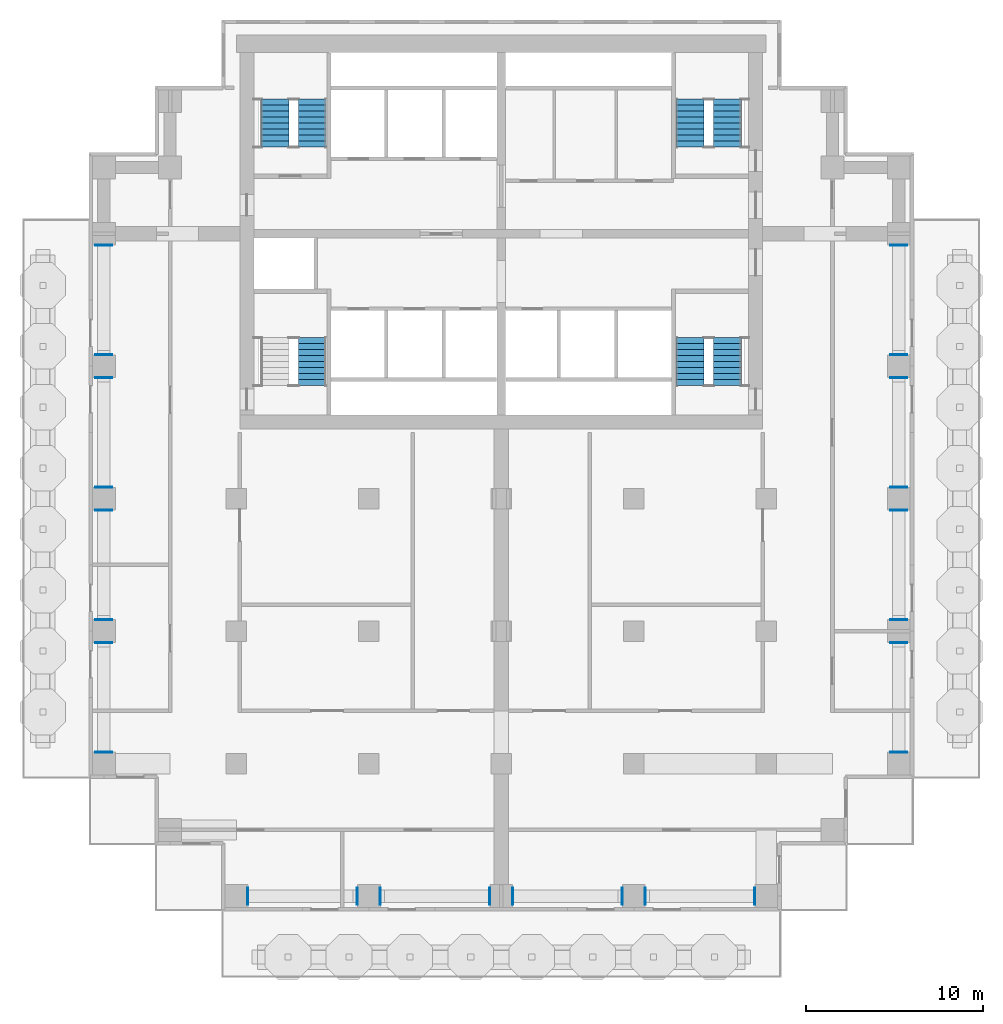
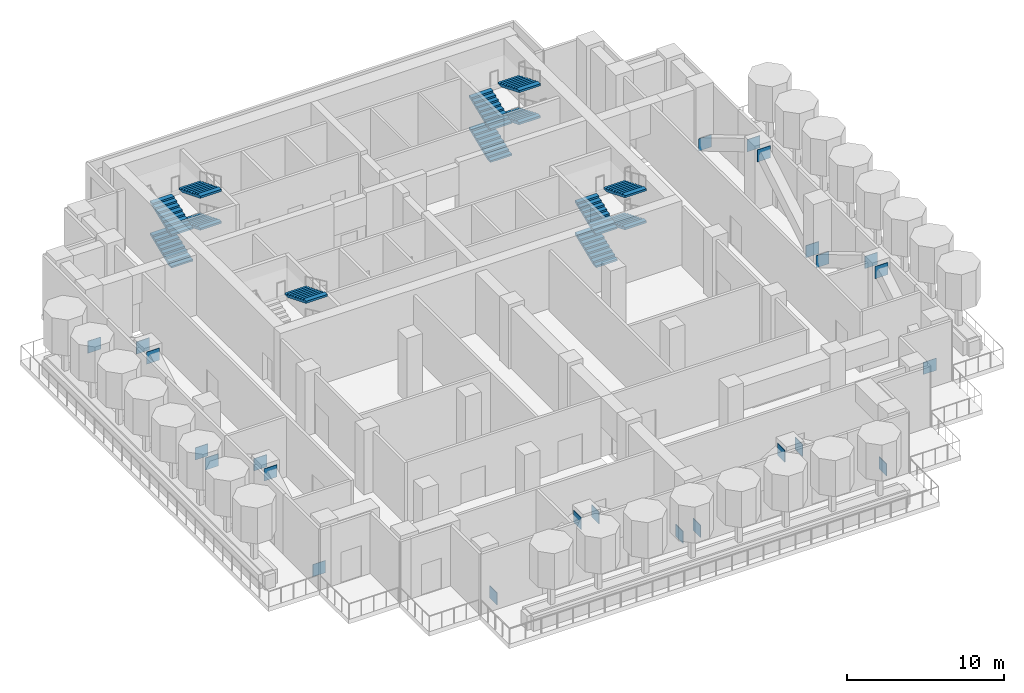
# One storey, part 6 of 9: 24 discrete accessories, 13 stair flights, 4 elements without a shape of their own.
"""IFC4 building model written with IfcOpenShell, lengths in metres."""

from ifc_helpers import new_model, si_unit, direction, frame, origin, origin_2d, place, context, subcontext, project, spatial, polyline, rectangle, outline, extrude, material, layer, layer_set, type_object, element, aggregate, save


model = new_model("IFC4")

# Units and contexts
model_context = context("Model", 3, precision=1e-05, world=origin(), true_north=direction((0.0, 1.0)))
body_context = subcontext(model_context, "Body", "Model", "MODEL_VIEW")
ifc_project = project(units=[si_unit("LENGTHUNIT", "METRE"), si_unit("AREAUNIT", "SQUARE_METRE"), si_unit("VOLUMEUNIT", "CUBIC_METRE"), si_unit("PLANEANGLEUNIT", "RADIAN"), si_unit("MASSUNIT", "GRAM", prefix="KILO")], contexts=[model_context])

# Site, building, storey
site_placement = place(None, origin())
site = spatial("IfcSite", under=ifc_project, at=site_placement, CompositionType="ELEMENT")
building_placement = place(site_placement, origin())
building = spatial("IfcBuilding", under=site, at=building_placement, Name="Pilkhan Gate Tower", CompositionType="ELEMENT")
storey_placement = place(building_placement, frame((0.0, 0.0, 102.199951171875)))
storey = spatial("IfcBuildingStorey", under=building, at=storey_placement, Name="L25", CompositionType="ELEMENT", Elevation=102.199951171875)

# Stair, stair flights
ifc_material_1 = material(Name="Concrete C40/50 precast", Category="concrete")
stair_type_1 = type_object("IfcStairType", Name="Stair ST1 139x340", PredefinedType="HALF_TURN_STAIR", material=ifc_material_1)
stair_1_placement = place(storey_placement, origin())
stair_1 = element("IfcStair", 1, at=stair_1_placement, inside=storey, type_object=stair_type_1, Name="Stair ST1 L25", PredefinedType="HALF_TURN_STAIR")
stair_flight_type_1 = type_object("IfcStairFlightType", Name="Stair flight ST1 139x340x9", PredefinedType="STRAIGHT", material=ifc_material_1)
stair_flight_1_placement = place(storey_placement, frame((85.68994140625, 73.89990234375, 0.0), z_axis=(0.0, 0.0, 1.0), x_axis=(0.0, 1.0, 0.0)))
stair_flight_1 = element("IfcStairFlight", 2, at=stair_flight_1_placement, type_object=stair_flight_type_1, Name="ST1 flight 1", NumberOfRisers=9, NumberOfTreads=8, PredefinedType="STRAIGHT", RiserHeight=0.138888889, TreadLength=0.34, context=body_context, shape_type="SweptSolid", body=[
    extrude(outline(polyline([(0.0, 0.0), (0.0, 0.138916015625), (0.340087890625, 0.138916015625), (0.340087890625, 0.27783203125), (0.679931640625, 0.27783203125), (0.679931640625, 0.416748046875), (1.02001953125, 0.416748046875), (1.02001953125, 0.5556640625), (1.360107421875, 0.5556640625), (1.360107421875, 0.6943359375), (1.699951171875, 0.6943359375), (1.699951171875, 0.833251953125), (2.0400390625, 0.833251953125), (2.0400390625, 0.97216796875), (2.3798828125, 0.97216796875), (2.3798828125, 1.111083984375), (2.719970703125, 1.111083984375), (2.719970703125, 1.25), (2.719970703125, 0.94921875), (0.396484375, 0.0), (0.0, 0.0)])), frame((0.0, 0.7900390625, 0.0), z_axis=(0.0, -1.0, 0.0), x_axis=(1.0, 0.0, 0.0)), (0.0, 0.0, 1.0), 1.580078125),
])
stair_flight_2_placement = place(storey_placement, frame((87.81005859375, 76.6201171875, 1.25), z_axis=(0.0, 0.0, 1.0), x_axis=(0.0, -1.0, 0.0)))
stair_flight_2 = element("IfcStairFlight", 3, at=stair_flight_2_placement, type_object=stair_flight_type_1, Name="ST1 flight 2", NumberOfRisers=9, NumberOfTreads=8, PredefinedType="STRAIGHT", RiserHeight=0.138888889, TreadLength=0.34, context=body_context, shape_type="SweptSolid", body=[
    extrude(outline(polyline([(0.0, 0.0), (0.0, 0.138916015625), (0.340087890625, 0.138916015625), (0.340087890625, 0.27783203125), (0.679931640625, 0.27783203125), (0.679931640625, 0.416748046875), (1.02001953125, 0.416748046875), (1.02001953125, 0.5556640625), (1.360107421875, 0.5556640625), (1.360107421875, 0.6943359375), (1.699951171875, 0.6943359375), (1.699951171875, 0.833251953125), (2.0400390625, 0.833251953125), (2.0400390625, 0.97216796875), (2.3798828125, 0.97216796875), (2.3798828125, 1.111083984375), (2.719970703125, 1.111083984375), (2.719970703125, 1.25), (2.719970703125, 0.94921875), (0.396484375, 0.0), (0.0, 0.0)])), frame((0.0, 0.7900390625, 0.0), z_axis=(0.0, -1.0, 0.0), x_axis=(1.0, 0.0, 0.0)), (0.0, 0.0, 1.0), 1.580078125),
])
stair_flight_3_placement = place(storey_placement, frame((85.68994140625, 73.89990234375, 2.5), z_axis=(0.0, 0.0, 1.0), x_axis=(0.0, 1.0, 0.0)))
stair_flight_3 = element("IfcStairFlight", 4, at=stair_flight_3_placement, type_object=stair_flight_type_1, Name="ST1 flight 3", NumberOfRisers=9, NumberOfTreads=8, PredefinedType="STRAIGHT", RiserHeight=0.138888889, TreadLength=0.34, context=body_context, shape_type="SweptSolid", body=[
    extrude(outline(polyline([(0.0, 0.0), (0.0, 0.138916015625), (0.340087890625, 0.138916015625), (0.340087890625, 0.27783203125), (0.679931640625, 0.27783203125), (0.679931640625, 0.416748046875), (1.02001953125, 0.416748046875), (1.02001953125, 0.5556640625), (1.360107421875, 0.5556640625), (1.360107421875, 0.6943359375), (1.699951171875, 0.6943359375), (1.699951171875, 0.833251953125), (2.0400390625, 0.833251953125), (2.0400390625, 0.97216796875), (2.3798828125, 0.97216796875), (2.3798828125, 1.111083984375), (2.719970703125, 1.111083984375), (2.719970703125, 1.25), (2.719970703125, 0.94921875), (0.396484375, 0.0), (0.0, 0.0)])), frame((0.0, 0.7900390625, 0.0), z_axis=(0.0, -1.0, 0.0), x_axis=(1.0, 0.0, 0.0)), (0.0, 0.0, 1.0), 1.580078125),
])
stair_flight_4_placement = place(storey_placement, frame((87.81005859375, 76.6201171875, 3.75), z_axis=(0.0, 0.0, 1.0), x_axis=(0.0, -1.0, 0.0)))
stair_flight_4 = element("IfcStairFlight", 5, at=stair_flight_4_placement, type_object=stair_flight_type_1, Name="ST1 flight 4", NumberOfRisers=9, NumberOfTreads=8, PredefinedType="STRAIGHT", RiserHeight=0.138888889, TreadLength=0.34, context=body_context, shape_type="SweptSolid", body=[
    extrude(outline(polyline([(0.0, 0.0), (0.0, 0.138916015625), (0.340087890625, 0.138916015625), (0.340087890625, 0.27783203125), (0.679931640625, 0.27783203125), (0.679931640625, 0.416748046875), (1.02001953125, 0.416748046875), (1.02001953125, 0.5556640625), (1.360107421875, 0.5556640625), (1.360107421875, 0.6943359375), (1.699951171875, 0.6943359375), (1.699951171875, 0.833251953125), (2.0400390625, 0.833251953125), (2.0400390625, 0.97216796875), (2.3798828125, 0.97216796875), (2.3798828125, 1.111083984375), (2.719970703125, 1.111083984375), (2.719970703125, 1.25), (2.719970703125, 0.94921875), (0.396484375, 0.0), (0.0, 0.0)])), frame((0.0, 0.7900390625, 0.0), z_axis=(0.0, -1.0, 0.0), x_axis=(1.0, 0.0, 0.0)), (0.0, 0.0, 1.0), 1.580078125),
])
aggregate(stair_1, [stair_flight_1, stair_flight_2, stair_flight_3, stair_flight_4])

# Stair, stair flight
stair_type_2 = type_object("IfcStairType", Name="Stair ST2 139x340", PredefinedType="HALF_TURN_STAIR", material=ifc_material_1)
stair_2_placement = place(storey_placement, origin())
stair_2 = element("IfcStair", 6, at=stair_2_placement, inside=storey, type_object=stair_type_2, Name="Stair ST2 L25", PredefinedType="HALF_TURN_STAIR")
stair_flight_type_2 = type_object("IfcStairFlightType", Name="Stair flight ST2 139x340x9", PredefinedType="STRAIGHT", material=ifc_material_1)
stair_flight_5_placement = place(storey_placement, frame((64.31005859375, 76.6201171875, 3.75), z_axis=(0.0, 0.0, 1.0), x_axis=(0.0, -1.0, 0.0)))
stair_flight_5 = element("IfcStairFlight", 7, at=stair_flight_5_placement, type_object=stair_flight_type_2, Name="ST2 flight 4", NumberOfRisers=9, NumberOfTreads=8, PredefinedType="STRAIGHT", RiserHeight=0.138888889, TreadLength=0.34, context=body_context, shape_type="SweptSolid", body=[
    extrude(outline(polyline([(0.0, 0.0), (0.0, 0.138916015625), (0.340087890625, 0.138916015625), (0.340087890625, 0.27783203125), (0.679931640625, 0.27783203125), (0.679931640625, 0.416748046875), (1.02001953125, 0.416748046875), (1.02001953125, 0.5556640625), (1.360107421875, 0.5556640625), (1.360107421875, 0.6943359375), (1.699951171875, 0.6943359375), (1.699951171875, 0.833251953125), (2.0400390625, 0.833251953125), (2.0400390625, 0.97216796875), (2.3798828125, 0.97216796875), (2.3798828125, 1.111083984375), (2.719970703125, 1.111083984375), (2.719970703125, 1.25), (2.719970703125, 0.94921875), (0.396484375, 0.0), (0.0, 0.0)])), frame((0.0, 0.7900390625, 0.0), z_axis=(0.0, -1.0, 0.0), x_axis=(1.0, 0.0, 0.0)), (0.0, 0.0, 1.0), 1.580078125),
])
aggregate(stair_2, [stair_flight_5])

# Stair, stair flights
stair_type_3 = type_object("IfcStairType", Name="Stair ST3 139x340", PredefinedType="HALF_TURN_STAIR", material=ifc_material_1)
stair_3_placement = place(storey_placement, origin())
stair_3 = element("IfcStair", 8, at=stair_3_placement, inside=storey, type_object=stair_type_3, Name="Stair ST3 L25", PredefinedType="HALF_TURN_STAIR")
stair_flight_type_3 = type_object("IfcStairFlightType", Name="Stair flight ST3 139x340x9", PredefinedType="STRAIGHT", material=ifc_material_1)
stair_flight_6_placement = place(storey_placement, frame((62.18994140625, 87.39990234375, 0.0), z_axis=(0.0, 0.0, 1.0), x_axis=(0.0, 1.0, 0.0)))
stair_flight_6 = element("IfcStairFlight", 9, at=stair_flight_6_placement, type_object=stair_flight_type_3, Name="ST3 flight 1", NumberOfRisers=9, NumberOfTreads=8, PredefinedType="STRAIGHT", RiserHeight=0.138888889, TreadLength=0.34, context=body_context, shape_type="SweptSolid", body=[
    extrude(outline(polyline([(0.0, 0.0), (0.0, 0.138916015625), (0.340087890625, 0.138916015625), (0.340087890625, 0.27783203125), (0.679931640625, 0.27783203125), (0.679931640625, 0.416748046875), (1.02001953125, 0.416748046875), (1.02001953125, 0.5556640625), (1.360107421875, 0.5556640625), (1.360107421875, 0.6943359375), (1.699951171875, 0.6943359375), (1.699951171875, 0.833251953125), (2.0400390625, 0.833251953125), (2.0400390625, 0.97216796875), (2.3798828125, 0.97216796875), (2.3798828125, 1.111083984375), (2.719970703125, 1.111083984375), (2.719970703125, 1.25), (2.719970703125, 0.94921875), (0.396484375, 0.0), (0.0, 0.0)])), frame((0.0, 0.7900390625, 0.0), z_axis=(0.0, -1.0, 0.0), x_axis=(1.0, 0.0, 0.0)), (0.0, 0.0, 1.0), 1.580078125),
])
stair_flight_7_placement = place(storey_placement, frame((64.31005859375, 90.1201171875, 1.25), z_axis=(0.0, 0.0, 1.0), x_axis=(0.0, -1.0, 0.0)))
stair_flight_7 = element("IfcStairFlight", 10, at=stair_flight_7_placement, type_object=stair_flight_type_3, Name="ST3 flight 2", NumberOfRisers=9, NumberOfTreads=8, PredefinedType="STRAIGHT", RiserHeight=0.138888889, TreadLength=0.34, context=body_context, shape_type="SweptSolid", body=[
    extrude(outline(polyline([(0.0, 0.0), (0.0, 0.138916015625), (0.340087890625, 0.138916015625), (0.340087890625, 0.27783203125), (0.679931640625, 0.27783203125), (0.679931640625, 0.416748046875), (1.02001953125, 0.416748046875), (1.02001953125, 0.5556640625), (1.360107421875, 0.5556640625), (1.360107421875, 0.6943359375), (1.699951171875, 0.6943359375), (1.699951171875, 0.833251953125), (2.0400390625, 0.833251953125), (2.0400390625, 0.97216796875), (2.3798828125, 0.97216796875), (2.3798828125, 1.111083984375), (2.719970703125, 1.111083984375), (2.719970703125, 1.25), (2.719970703125, 0.94921875), (0.396484375, 0.0), (0.0, 0.0)])), frame((0.0, 0.7900390625, 0.0), z_axis=(0.0, -1.0, 0.0), x_axis=(1.0, 0.0, 0.0)), (0.0, 0.0, 1.0), 1.580078125),
])
stair_flight_8_placement = place(storey_placement, frame((62.18994140625, 87.39990234375, 2.5), z_axis=(0.0, 0.0, 1.0), x_axis=(0.0, 1.0, 0.0)))
stair_flight_8 = element("IfcStairFlight", 11, at=stair_flight_8_placement, type_object=stair_flight_type_3, Name="ST3 flight 3", NumberOfRisers=9, NumberOfTreads=8, PredefinedType="STRAIGHT", RiserHeight=0.138888889, TreadLength=0.34, context=body_context, shape_type="SweptSolid", body=[
    extrude(outline(polyline([(0.0, 0.0), (0.0, 0.138916015625), (0.340087890625, 0.138916015625), (0.340087890625, 0.27783203125), (0.679931640625, 0.27783203125), (0.679931640625, 0.416748046875), (1.02001953125, 0.416748046875), (1.02001953125, 0.5556640625), (1.360107421875, 0.5556640625), (1.360107421875, 0.6943359375), (1.699951171875, 0.6943359375), (1.699951171875, 0.833251953125), (2.0400390625, 0.833251953125), (2.0400390625, 0.97216796875), (2.3798828125, 0.97216796875), (2.3798828125, 1.111083984375), (2.719970703125, 1.111083984375), (2.719970703125, 1.25), (2.719970703125, 0.94921875), (0.396484375, 0.0), (0.0, 0.0)])), frame((0.0, 0.7900390625, 0.0), z_axis=(0.0, -1.0, 0.0), x_axis=(1.0, 0.0, 0.0)), (0.0, 0.0, 1.0), 1.580078125),
])
stair_flight_9_placement = place(storey_placement, frame((64.31005859375, 90.1201171875, 3.75), z_axis=(0.0, 0.0, 1.0), x_axis=(0.0, -1.0, 0.0)))
stair_flight_9 = element("IfcStairFlight", 12, at=stair_flight_9_placement, type_object=stair_flight_type_3, Name="ST3 flight 4", NumberOfRisers=9, NumberOfTreads=8, PredefinedType="STRAIGHT", RiserHeight=0.138888889, TreadLength=0.34, context=body_context, shape_type="SweptSolid", body=[
    extrude(outline(polyline([(0.0, 0.0), (0.0, 0.138916015625), (0.340087890625, 0.138916015625), (0.340087890625, 0.27783203125), (0.679931640625, 0.27783203125), (0.679931640625, 0.416748046875), (1.02001953125, 0.416748046875), (1.02001953125, 0.5556640625), (1.360107421875, 0.5556640625), (1.360107421875, 0.6943359375), (1.699951171875, 0.6943359375), (1.699951171875, 0.833251953125), (2.0400390625, 0.833251953125), (2.0400390625, 0.97216796875), (2.3798828125, 0.97216796875), (2.3798828125, 1.111083984375), (2.719970703125, 1.111083984375), (2.719970703125, 1.25), (2.719970703125, 0.94921875), (0.396484375, 0.0), (0.0, 0.0)])), frame((0.0, 0.7900390625, 0.0), z_axis=(0.0, -1.0, 0.0), x_axis=(1.0, 0.0, 0.0)), (0.0, 0.0, 1.0), 1.580078125),
])
aggregate(stair_3, [stair_flight_6, stair_flight_7, stair_flight_8, stair_flight_9])

stair_type_4 = type_object("IfcStairType", Name="Stair ST4 139x340", PredefinedType="HALF_TURN_STAIR", material=ifc_material_1)
stair_4_placement = place(storey_placement, origin())
stair_4 = element("IfcStair", 13, at=stair_4_placement, inside=storey, type_object=stair_type_4, Name="Stair ST4 L25", PredefinedType="HALF_TURN_STAIR")
stair_flight_type_4 = type_object("IfcStairFlightType", Name="Stair flight ST4 139x340x9", PredefinedType="STRAIGHT", material=ifc_material_1)
stair_flight_10_placement = place(storey_placement, frame((85.68994140625, 87.39990234375, 0.0), z_axis=(0.0, 0.0, 1.0), x_axis=(0.0, 1.0, 0.0)))
stair_flight_10 = element("IfcStairFlight", 14, at=stair_flight_10_placement, type_object=stair_flight_type_4, Name="ST4 flight 1", NumberOfRisers=9, NumberOfTreads=8, PredefinedType="STRAIGHT", RiserHeight=0.138888889, TreadLength=0.34, context=body_context, shape_type="SweptSolid", body=[
    extrude(outline(polyline([(0.0, 0.0), (0.0, 0.138916015625), (0.340087890625, 0.138916015625), (0.340087890625, 0.27783203125), (0.679931640625, 0.27783203125), (0.679931640625, 0.416748046875), (1.02001953125, 0.416748046875), (1.02001953125, 0.5556640625), (1.360107421875, 0.5556640625), (1.360107421875, 0.6943359375), (1.699951171875, 0.6943359375), (1.699951171875, 0.833251953125), (2.0400390625, 0.833251953125), (2.0400390625, 0.97216796875), (2.3798828125, 0.97216796875), (2.3798828125, 1.111083984375), (2.719970703125, 1.111083984375), (2.719970703125, 1.25), (2.719970703125, 0.94921875), (0.396484375, 0.0), (0.0, 0.0)])), frame((0.0, 0.7900390625, 0.0), z_axis=(0.0, -1.0, 0.0), x_axis=(1.0, 0.0, 0.0)), (0.0, 0.0, 1.0), 1.580078125),
])
stair_flight_11_placement = place(storey_placement, frame((87.81005859375, 90.1201171875, 1.25), z_axis=(0.0, 0.0, 1.0), x_axis=(0.0, -1.0, 0.0)))
stair_flight_11 = element("IfcStairFlight", 15, at=stair_flight_11_placement, type_object=stair_flight_type_4, Name="ST4 flight 2", NumberOfRisers=9, NumberOfTreads=8, PredefinedType="STRAIGHT", RiserHeight=0.138888889, TreadLength=0.34, context=body_context, shape_type="SweptSolid", body=[
    extrude(outline(polyline([(0.0, 0.0), (0.0, 0.138916015625), (0.340087890625, 0.138916015625), (0.340087890625, 0.27783203125), (0.679931640625, 0.27783203125), (0.679931640625, 0.416748046875), (1.02001953125, 0.416748046875), (1.02001953125, 0.5556640625), (1.360107421875, 0.5556640625), (1.360107421875, 0.6943359375), (1.699951171875, 0.6943359375), (1.699951171875, 0.833251953125), (2.0400390625, 0.833251953125), (2.0400390625, 0.97216796875), (2.3798828125, 0.97216796875), (2.3798828125, 1.111083984375), (2.719970703125, 1.111083984375), (2.719970703125, 1.25), (2.719970703125, 0.94921875), (0.396484375, 0.0), (0.0, 0.0)])), frame((0.0, 0.7900390625, 0.0), z_axis=(0.0, -1.0, 0.0), x_axis=(1.0, 0.0, 0.0)), (0.0, 0.0, 1.0), 1.580078125),
])
stair_flight_12_placement = place(storey_placement, frame((85.68994140625, 87.39990234375, 2.5), z_axis=(0.0, 0.0, 1.0), x_axis=(0.0, 1.0, 0.0)))
stair_flight_12 = element("IfcStairFlight", 16, at=stair_flight_12_placement, type_object=stair_flight_type_4, Name="ST4 flight 3", NumberOfRisers=9, NumberOfTreads=8, PredefinedType="STRAIGHT", RiserHeight=0.138888889, TreadLength=0.34, context=body_context, shape_type="SweptSolid", body=[
    extrude(outline(polyline([(0.0, 0.0), (0.0, 0.138916015625), (0.340087890625, 0.138916015625), (0.340087890625, 0.27783203125), (0.679931640625, 0.27783203125), (0.679931640625, 0.416748046875), (1.02001953125, 0.416748046875), (1.02001953125, 0.5556640625), (1.360107421875, 0.5556640625), (1.360107421875, 0.6943359375), (1.699951171875, 0.6943359375), (1.699951171875, 0.833251953125), (2.0400390625, 0.833251953125), (2.0400390625, 0.97216796875), (2.3798828125, 0.97216796875), (2.3798828125, 1.111083984375), (2.719970703125, 1.111083984375), (2.719970703125, 1.25), (2.719970703125, 0.94921875), (0.396484375, 0.0), (0.0, 0.0)])), frame((0.0, 0.7900390625, 0.0), z_axis=(0.0, -1.0, 0.0), x_axis=(1.0, 0.0, 0.0)), (0.0, 0.0, 1.0), 1.580078125),
])
stair_flight_13_placement = place(storey_placement, frame((87.81005859375, 90.1201171875, 3.75), z_axis=(0.0, 0.0, 1.0), x_axis=(0.0, -1.0, 0.0)))
stair_flight_13 = element("IfcStairFlight", 17, at=stair_flight_13_placement, type_object=stair_flight_type_4, Name="ST4 flight 4", NumberOfRisers=9, NumberOfTreads=8, PredefinedType="STRAIGHT", RiserHeight=0.138888889, TreadLength=0.34, context=body_context, shape_type="SweptSolid", body=[
    extrude(outline(polyline([(0.0, 0.0), (0.0, 0.138916015625), (0.340087890625, 0.138916015625), (0.340087890625, 0.27783203125), (0.679931640625, 0.27783203125), (0.679931640625, 0.416748046875), (1.02001953125, 0.416748046875), (1.02001953125, 0.5556640625), (1.360107421875, 0.5556640625), (1.360107421875, 0.6943359375), (1.699951171875, 0.6943359375), (1.699951171875, 0.833251953125), (2.0400390625, 0.833251953125), (2.0400390625, 0.97216796875), (2.3798828125, 0.97216796875), (2.3798828125, 1.111083984375), (2.719970703125, 1.111083984375), (2.719970703125, 1.25), (2.719970703125, 0.94921875), (0.396484375, 0.0), (0.0, 0.0)])), frame((0.0, 0.7900390625, 0.0), z_axis=(0.0, -1.0, 0.0), x_axis=(1.0, 0.0, 0.0)), (0.0, 0.0, 1.0), 1.580078125),
])
aggregate(stair_4, [stair_flight_10, stair_flight_11, stair_flight_12, stair_flight_13])

# Discrete accessories
ifc_material_2 = material(Name="Steel S355", Category="steel")
ifc_layer = layer(ifc_material_2, 0.0400390625)
ifc_layer_set = layer_set([ifc_layer], Name="Belt diagonal gusset plate GP40 S355")
discrete_accessory_type = type_object("IfcDiscreteAccessoryType", Name="Belt diagonal gusset plate GP40 S355", PredefinedType="ANCHORPLATE", material=ifc_layer_set)
for number, where, z_axis, x_axis, name in (
    (18, (89.35009765625, 45.0, 0.02490234375), (0.0, 0.0, 1.0), (1.0, 0.0, 0.0), "Belt diagonal gusset plate BP1 L25"),
    (19, (83.14990234375, 45.0, 3.72509765625), (0.0, 0.0, 1.0), (1.0, 0.0, 0.0), "Belt diagonal gusset plate BP2 L25"),
    (20, (75.64990234375, 45.0, 0.02490234375), (0.0, 0.0, 1.0), (1.0, 0.0, 0.0), "Belt diagonal gusset plate BP3 L25"),
    (21, (81.85009765625, 45.0, 3.72509765625), (0.0, 0.0, 1.0), (1.0, 0.0, 0.0), "Belt diagonal gusset plate BP4 L25"),
    (22, (74.35009765625, 45.0, 0.02490234375), (0.0, 0.0, 1.0), (1.0, 0.0, 0.0), "Belt diagonal gusset plate BP5 L25"),
    (23, (68.14990234375, 45.0, 3.72509765625), (0.0, 0.0, 1.0), (1.0, 0.0, 0.0), "Belt diagonal gusset plate BP6 L25"),
    (24, (60.64990234375, 45.0, 0.02490234375), (0.0, 0.0, 1.0), (1.0, 0.0, 0.0), "Belt diagonal gusset plate BP7 L25"),
    (25, (66.85009765625, 45.0, 3.72509765625), (0.0, 0.0, 1.0), (1.0, 0.0, 0.0), "Belt diagonal gusset plate BP8 L25"),
    (26, (52.5, 53.14990234375, 0.02490234375), (0.0, 0.0, 1.0), (0.0, 1.0, 0.0), "Belt diagonal gusset plate BP9 L25"),
    (27, (52.5, 59.35009765625, 3.72509765625), (0.0, 0.0, 1.0), (0.0, 1.0, 0.0), "Belt diagonal gusset plate BP10 L25"),
    (28, (52.5, 66.85009765625, 0.02490234375), (0.0, 0.0, 1.0), (0.0, 1.0, 0.0), "Belt diagonal gusset plate BP11 L25"),
    (29, (52.5, 60.64990234375, 3.72509765625), (0.0, 0.0, 1.0), (0.0, 1.0, 0.0), "Belt diagonal gusset plate BP12 L25"),
    (30, (52.5, 68.14990234375, 0.02490234375), (0.0, 0.0, 1.0), (0.0, 1.0, 0.0), "Belt diagonal gusset plate BP13 L25"),
    (31, (52.5, 74.35009765625, 3.72509765625), (0.0, 0.0, 1.0), (0.0, 1.0, 0.0), "Belt diagonal gusset plate BP14 L25"),
    (32, (52.5, 81.85009765625, 0.02490234375), (0.0, 0.0, 1.0), (0.0, 1.0, 0.0), "Belt diagonal gusset plate BP15 L25"),
    (33, (52.5, 75.64990234375, 3.72509765625), (0.0, 0.0, 1.0), (0.0, 1.0, 0.0), "Belt diagonal gusset plate BP16 L25"),
    (34, (97.5, 81.85009765625, 0.02490234375), (0.0, 0.0, 1.0), (0.0, 1.0, 0.0), "Belt diagonal gusset plate BP17 L25"),
    (35, (97.5, 75.64990234375, 3.72509765625), (0.0, 0.0, 1.0), (0.0, 1.0, 0.0), "Belt diagonal gusset plate BP18 L25"),
    (36, (97.5, 68.14990234375, 0.02490234375), (0.0, 0.0, 1.0), (0.0, 1.0, 0.0), "Belt diagonal gusset plate BP19 L25"),
    (37, (97.5, 74.35009765625, 3.72509765625), (0.0, 0.0, 1.0), (0.0, 1.0, 0.0), "Belt diagonal gusset plate BP20 L25"),
    (38, (97.5, 66.85009765625, 0.02490234375), (0.0, 0.0, 1.0), (0.0, 1.0, 0.0), "Belt diagonal gusset plate BP21 L25"),
    (39, (97.5, 60.64990234375, 3.72509765625), (0.0, 0.0, 1.0), (0.0, 1.0, 0.0), "Belt diagonal gusset plate BP22 L25"),
    (40, (97.5, 53.14990234375, 0.02490234375), (0.0, 0.0, 1.0), (0.0, 1.0, 0.0), "Belt diagonal gusset plate BP23 L25"),
    (41, (97.5, 59.35009765625, 3.72509765625), (0.0, 0.0, 1.0), (0.0, 1.0, 0.0), "Belt diagonal gusset plate BP24 L25"),
):
    element("IfcDiscreteAccessory", number, at=place(storey_placement, frame(where, z_axis=z_axis, x_axis=x_axis)), inside=storey, type_object=discrete_accessory_type, Name=name, PredefinedType="ANCHORPLATE", context=body_context, shape_type="SweptSolid", body=[
        extrude(rectangle(XDim=0.0400390625, YDim=0.949951171875, at=origin_2d()), origin(), (0.0, 0.0, 1.0), 0.949951171875),
    ])

save(model, "model.ifc")
